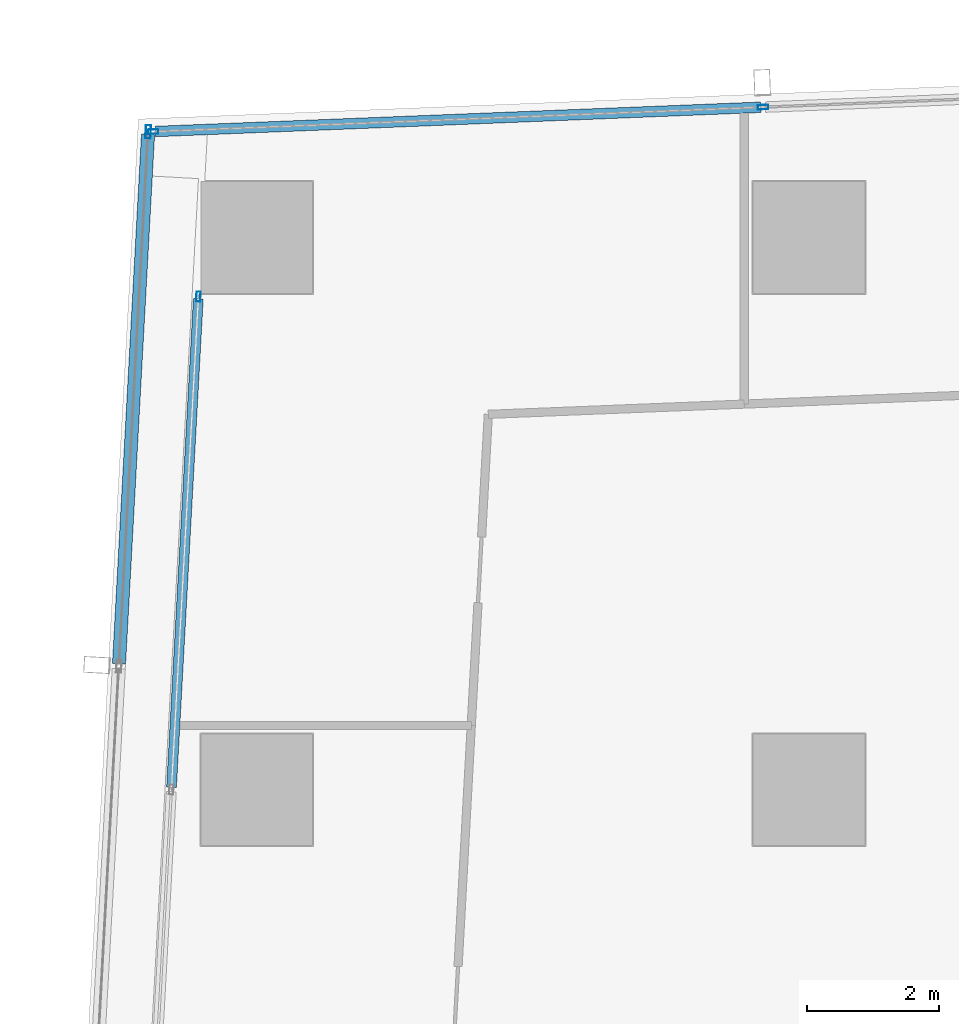
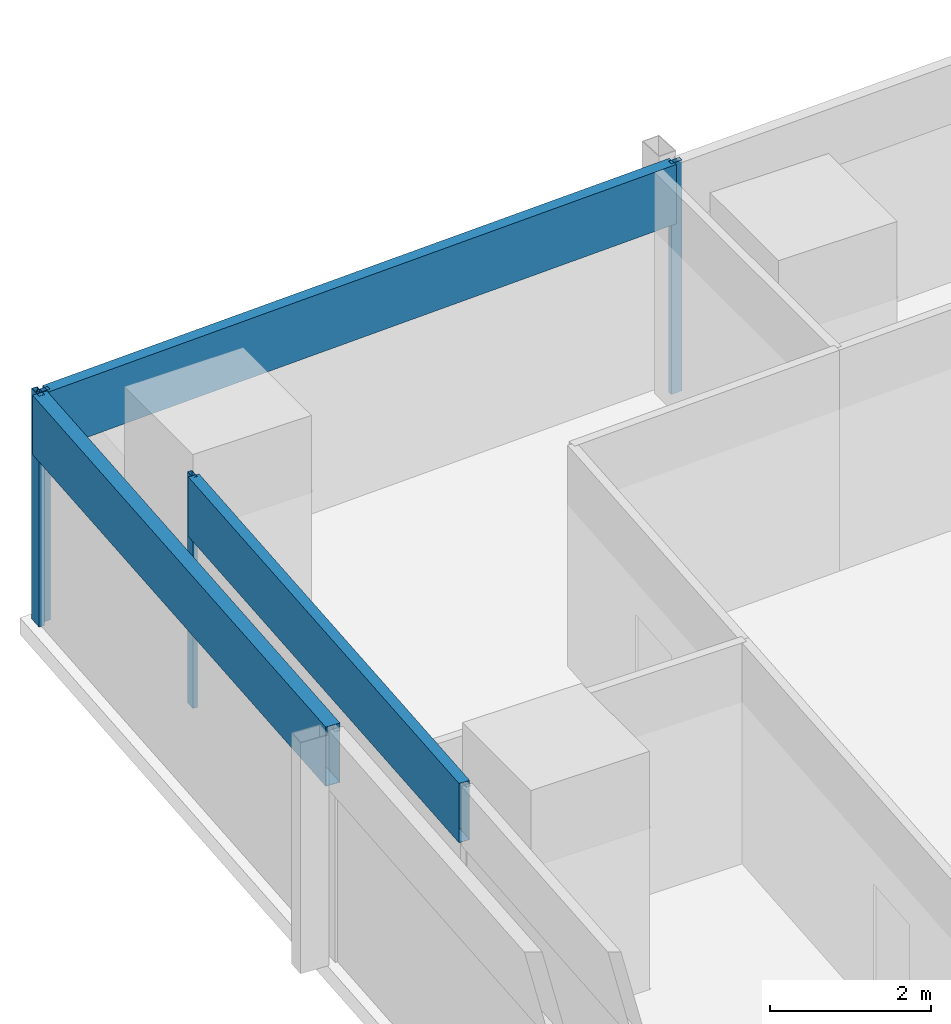
# One storey, part 15 of 40: 7 members, 3 elements without a shape of their own.
"""IFC4 building model written with IfcOpenShell, lengths in metres."""

from ifc_helpers import new_model, si_unit, direction, frame, origin, origin_2d, place, context, subcontext, project, spatial, hollow_rectangle, extrude, material, material_profile, profile_set, type_object, element, aggregate, save


model = new_model("IFC4")

# Units and contexts
model_context = context("Model", 3, precision=1e-05, world=origin(), true_north=direction((0.0, 1.0)))
body_context = subcontext(model_context, "Body", "Model", "MODEL_VIEW")
ifc_project = project(units=[si_unit("LENGTHUNIT", "METRE"), si_unit("AREAUNIT", "SQUARE_METRE"), si_unit("VOLUMEUNIT", "CUBIC_METRE"), si_unit("PLANEANGLEUNIT", "RADIAN"), si_unit("MASSUNIT", "GRAM", prefix="KILO")], contexts=[model_context])

# Site, building, storey
site_placement = place(None, origin())
site = spatial("IfcSite", under=ifc_project, at=site_placement, CompositionType="ELEMENT")
building_placement = place(site_placement, origin())
building = spatial("IfcBuilding", under=site, at=building_placement, Name="Rekha Terrace Tower", CompositionType="ELEMENT")
storey_placement = place(building_placement, frame((0.0, 0.0, 110.300048828125)))
storey = spatial("IfcBuildingStorey", under=building, at=storey_placement, Name="L27", CompositionType="ELEMENT", Elevation=110.300048828125)

# Curtain wall, members
ifc_material_1 = material(Name="Aluminium framing", Category="aluminium")
curtain_wall_type_1 = type_object("IfcCurtainWallType", Name="CW1 double skin inner glazing", PredefinedType="USERDEFINED", material=ifc_material_1)
curtain_wall_1_placement = place(storey_placement, origin())
curtain_wall_1 = element("IfcCurtainWall", 1, at=curtain_wall_1_placement, inside=storey, type_object=curtain_wall_type_1, Name="CW1 double skin inner glazing", ObjectType="DOUBLE SKIN INNER GLAZING", PredefinedType="USERDEFINED")
ifc_material_2 = material(Name="Aluminium mullion section", Category="aluminium")
ifc_material_profile_1 = material_profile(ifc_material_2, hollow_rectangle(XDim=0.06494140625, YDim=0.14990234375, WallThickness=0.00390625, at=origin_2d()), Name="AL RHS 65x150")
ifc_profile_set_1 = profile_set([ifc_material_profile_1], Name="Aluminium mullion section")
member_type_1 = type_object("IfcMemberType", Name="CW1 mullion RHS 65 x 150", PredefinedType="MULLION", material=ifc_profile_set_1)
member_1_placement = place(storey_placement, frame((7.513427734375, 57.8994140625, 0.0), z_axis=(0.0, 0.0, 1.0), x_axis=(0.99850051318, -0.054742352707, 0.0)))
member_1 = element("IfcMember", 2, at=member_1_placement, type_object=member_type_1, Name="CW1 mullion 1", PredefinedType="MULLION", context=body_context, shape_type="SweptSolid", body=[
    extrude(hollow_rectangle(XDim=0.06494140625, YDim=0.14990234375, WallThickness=0.00390625, at=origin_2d()), origin(), (0.0, 0.0, 1.0), 3.5),
])
ifc_material_3 = material(Name="Insulated aluminium spandrel box", Category="aluminium")
ifc_material_profile_2 = material_profile(ifc_material_3, hollow_rectangle(XDim=0.14990234375, YDim=0.89990234375, WallThickness=0.0029296875, at=origin_2d()), Name="AL SPANDREL BOX 150x900")
ifc_profile_set_2 = profile_set([ifc_material_profile_2], Name="Insulated aluminium spandrel box")
member_type_2 = type_object("IfcMemberType", Name="CW1 spandrel transom 150 x 900", PredefinedType="USERDEFINED", material=ifc_profile_set_2)
member_2_placement = place(storey_placement, frame((7.51171875, 57.866943359375, 3.050048828125), z_axis=(-0.054743356699, -0.998500458136, 0.0), x_axis=(0.998500458136, -0.054743356699, 0.0)))
member_2 = element("IfcMember", 3, at=member_2_placement, type_object=member_type_2, Name="CW1 spandrel transom 1", ObjectType="TRANSOM", PredefinedType="USERDEFINED", context=body_context, shape_type="SweptSolid", body=[
    extrude(hollow_rectangle(XDim=0.14990234375, YDim=0.89990234375, WallThickness=0.0029296875, at=origin_2d()), origin(), (0.0, 0.0, 1.0), 7.443359375),
])
aggregate(curtain_wall_1, [member_1, member_2])

curtain_wall_type_2 = type_object("IfcCurtainWallType", Name="CW2 double skin outer glazing", PredefinedType="USERDEFINED", material=ifc_material_1)
curtain_wall_2_placement = place(storey_placement, origin())
curtain_wall_2 = element("IfcCurtainWall", 4, at=curtain_wall_2_placement, inside=storey, type_object=curtain_wall_type_2, Name="CW2 double skin outer glazing", ObjectType="DOUBLE SKIN OUTER GLAZING", PredefinedType="USERDEFINED")
ifc_material_profile_3 = material_profile(ifc_material_2, hollow_rectangle(XDim=0.080078125, YDim=0.199951171875, WallThickness=0.00390625, at=origin_2d()), Name="AL RHS 80x200")
ifc_profile_set_3 = profile_set([ifc_material_profile_3], Name="Aluminium mullion section")
member_type_3 = type_object("IfcMemberType", Name="CW2 mullion RHS 80 x 200", PredefinedType="MULLION", material=ifc_profile_set_3)
member_3_placement = place(storey_placement, frame((6.74951171875, 60.406005859375, 0.0), z_axis=(0.0, 0.0, 1.0), x_axis=(0.99850051318, -0.054742352707, 0.0)))
member_3 = element("IfcMember", 5, at=member_3_placement, type_object=member_type_3, Name="CW2 mullion 1", PredefinedType="MULLION", context=body_context, shape_type="SweptSolid", body=[
    extrude(hollow_rectangle(XDim=0.080078125, YDim=0.199951171875, WallThickness=0.00390625, at=origin_2d()), origin(), (0.0, 0.0, 1.0), 3.5),
])
ifc_material_profile_4 = material_profile(ifc_material_3, hollow_rectangle(XDim=0.199951171875, YDim=0.89990234375, WallThickness=0.0029296875, at=origin_2d()), Name="AL SPANDREL BOX 200x900")
ifc_profile_set_4 = profile_set([ifc_material_profile_4], Name="Insulated aluminium spandrel box")
member_type_4 = type_object("IfcMemberType", Name="CW2 spandrel transom 200 x 900", PredefinedType="USERDEFINED", material=ifc_profile_set_4)
member_4_placement = place(storey_placement, frame((6.747314453125, 60.365966796875, 3.050048828125), z_axis=(-0.054735200093, -0.998500905293, 0.0), x_axis=(0.998500905293, -0.054735200093, 0.0)))
member_4 = element("IfcMember", 6, at=member_4_placement, type_object=member_type_4, Name="CW2 spandrel transom 1", ObjectType="TRANSOM", PredefinedType="USERDEFINED", context=body_context, shape_type="SweptSolid", body=[
    extrude(hollow_rectangle(XDim=0.199951171875, YDim=0.89990234375, WallThickness=0.0029296875, at=origin_2d()), origin(), (0.0, 0.0, 1.0), 8.059814453125),
])
aggregate(curtain_wall_2, [member_3, member_4])

curtain_wall_type_3 = type_object("IfcCurtainWallType", Name="CW3 north unitised glazing", PredefinedType="USERDEFINED", material=ifc_material_1)
curtain_wall_3_placement = place(storey_placement, origin())
curtain_wall_3 = element("IfcCurtainWall", 7, at=curtain_wall_3_placement, inside=storey, type_object=curtain_wall_type_3, Name="CW3 unitised curtain wall", ObjectType="UNITISED CURTAIN WALL", PredefinedType="USERDEFINED")
ifc_material_profile_5 = material_profile(ifc_material_2, hollow_rectangle(XDim=0.070068359375, YDim=0.159912109375, WallThickness=0.00390625, at=origin_2d()), Name="AL RHS 70x160")
ifc_profile_set_5 = profile_set([ifc_material_profile_5], Name="Aluminium mullion section")
member_type_5 = type_object("IfcMemberType", Name="CW3 mullion RHS 70 x 160", PredefinedType="MULLION", material=ifc_profile_set_5)
member_5_placement = place(storey_placement, frame((16.101806640625, 60.780517578125, 0.0), z_axis=(0.0, 0.0, 1.0), x_axis=(0.040031987119, -0.999198398721, 0.0)))
member_5 = element("IfcMember", 8, at=member_5_placement, type_object=member_type_5, Name="CW3 mullion 4", PredefinedType="MULLION", context=body_context, shape_type="SweptSolid", body=[
    extrude(hollow_rectangle(XDim=0.070068359375, YDim=0.159912109375, WallThickness=0.00390625, at=origin_2d()), origin(), (0.0, 0.0, 1.0), 3.5),
])
member_6_placement = place(storey_placement, frame((6.82470703125, 60.408935546875, 0.0), z_axis=(0.0, 0.0, 1.0), x_axis=(0.040031987119, -0.999198398721, 0.0)))
member_6 = element("IfcMember", 9, at=member_6_placement, type_object=member_type_5, Name="CW3 mullion 5", PredefinedType="MULLION", context=body_context, shape_type="SweptSolid", body=[
    extrude(hollow_rectangle(XDim=0.070068359375, YDim=0.159912109375, WallThickness=0.00390625, at=origin_2d()), origin(), (0.0, 0.0, 1.0), 3.5),
])
ifc_material_profile_6 = material_profile(ifc_material_3, hollow_rectangle(XDim=0.159912109375, YDim=0.89990234375, WallThickness=0.0029296875, at=origin_2d()), Name="AL SPANDREL BOX 160x900")
ifc_profile_set_6 = profile_set([ifc_material_profile_6], Name="Insulated aluminium spandrel box")
member_type_6 = type_object("IfcMemberType", Name="CW3 spandrel transom 160 x 900", PredefinedType="USERDEFINED", material=ifc_profile_set_6)
member_7_placement = place(storey_placement, frame((16.06689453125, 60.779052734375, 3.050048828125), z_axis=(-0.999198332483, -0.040033640399, 0.0), x_axis=(0.040033640399, -0.999198332483, 0.0)))
member_7 = element("IfcMember", 10, at=member_7_placement, type_object=member_type_6, Name="CW3 spandrel transom 4", ObjectType="TRANSOM", PredefinedType="USERDEFINED", context=body_context, shape_type="SweptSolid", body=[
    extrude(hollow_rectangle(XDim=0.159912109375, YDim=0.89990234375, WallThickness=0.0029296875, at=origin_2d()), origin(), (0.0, 0.0, 1.0), 9.214599609375),
])
aggregate(curtain_wall_3, [member_5, member_6, member_7])

save(model, "model.ifc")
